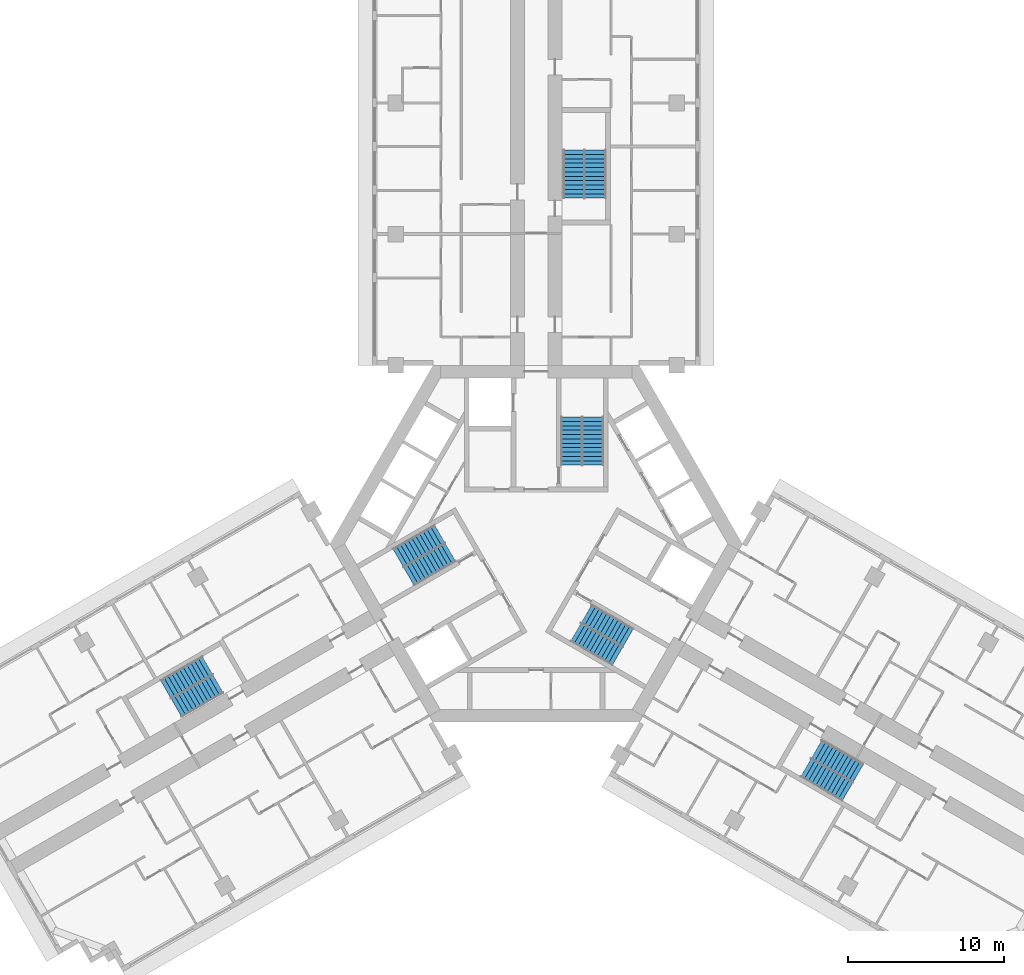
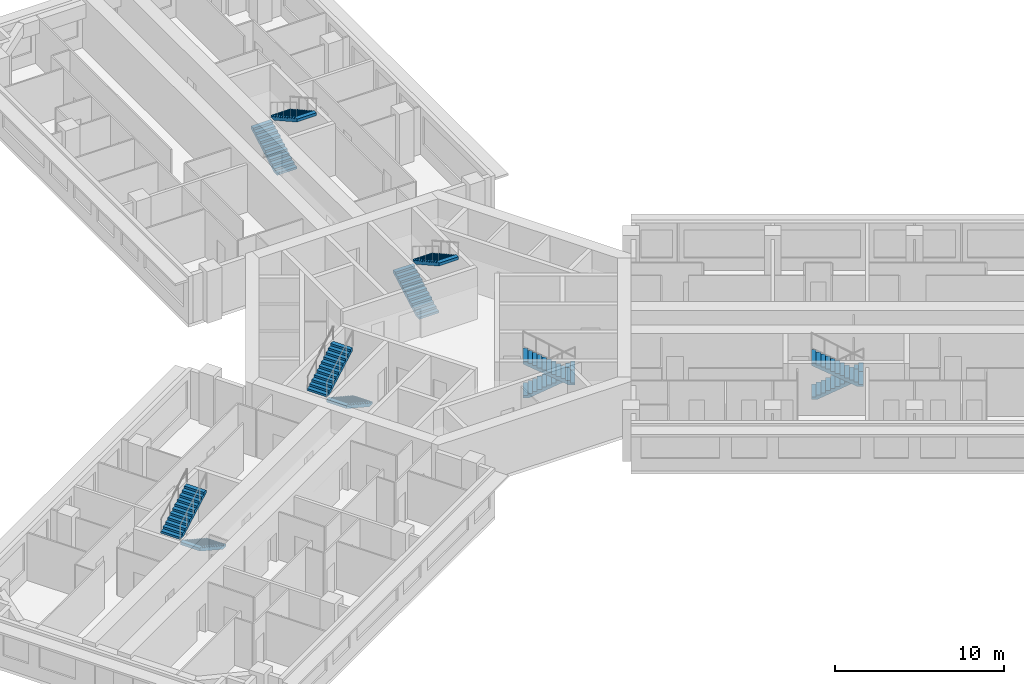
# One storey, part 11 of 12: 12 stair flights, 6 elements without a shape of their own.
"""IFC4 building model written with IfcOpenShell, lengths in metres."""

import ifcopenshell
import ifcopenshell.guid

model = None  # the IFC model being written
_history = None  # IfcOwnerHistory: only IFC2X3 demands one
_inside = {}  # id of a spatial element -> (the spatial element, [elements in it])
_under = {}  # id of a project, library or spatial element -> (it, [spatial elements below it])
_declared = {}  # id of a project -> (the project, [libraries it declares])
_typed = {}  # id of a type object -> (the type object, [elements of that type])
_made_of = {}  # id of a material, layer set ... -> (it, [elements and type objects made of it])


def new_model(schema):
    """Start an empty IFC model of exactly this schema.

    Asked for "IFC4X3", IfcOpenShell would pick the latest addendum, in which some entities
    have other attributes; the version numbers below select the first issue.
    IFC2X3 requires an IfcOwnerHistory on every rooted entity: one is made here for all.
    """
    global model, _history
    if schema == "IFC4X3":
        model = ifcopenshell.file(schema_version=(4, 3, 0, 0))
    else:
        model = ifcopenshell.file(schema=schema)
    _inside.clear()
    _under.clear()
    _declared.clear()
    _typed.clear()
    _made_of.clear()
    _history = None
    if model.schema == "IFC2X3":
        org = make("IfcOrganization", Name="unknown")
        user = make(
            "IfcPersonAndOrganization",
            ThePerson=make("IfcPerson", FamilyName="unknown"),
            TheOrganization=org,
        )
        app = make(
            "IfcApplication",
            ApplicationDeveloper=org,
            Version="unknown",
            ApplicationFullName="unknown",
            ApplicationIdentifier="unknown",
        )
        _history = make(
            "IfcOwnerHistory",
            OwningUser=user,
            OwningApplication=app,
            ChangeAction="ADDED",
            CreationDate=0,
        )
    return model


def make(cls, **values):
    """One entity of the class cls with the attributes given. An attribute that is None is left unset."""
    return model.create_entity(
        cls, **{name: value for name, value in values.items() if value is not None}
    )


def rooted(cls, **values):
    """An entity with a GlobalId (a new one), such as an element, a storey or a relation."""
    return make(cls, GlobalId=ifcopenshell.guid.new(), OwnerHistory=_history, **values)


def si_unit(unit_type, name, prefix=None):
    """IfcSIUnit, for example si_unit("LENGTHUNIT", "METRE", prefix="MILLI")."""
    return make("IfcSIUnit", UnitType=unit_type, Prefix=prefix, Name=name)


def assignment(units):
    """IfcUnitAssignment: the units of a project."""
    return None if units is None else make("IfcUnitAssignment", Units=units)


def point(xyz):
    """IfcCartesianPoint."""
    return None if xyz is None else make("IfcCartesianPoint", Coordinates=xyz)


def direction(xyz):
    """IfcDirection."""
    return None if xyz is None else make("IfcDirection", DirectionRatios=xyz)


def frame(location, z_axis=None, x_axis=None):
    """IfcAxis2Placement3D, a coordinate frame: its origin and axes. An axis left out is left unset."""
    return make(
        "IfcAxis2Placement3D",
        Location=point(location),
        Axis=direction(z_axis),
        RefDirection=direction(x_axis),
    )


def origin():
    """The frame at (0, 0, 0) with its axes left unset."""
    return frame((0.0, 0.0, 0.0))


def place(relative_to, where):
    """IfcLocalPlacement: puts the frame where relative to a parent placement (None: the world)."""
    return make(
        "IfcLocalPlacement", PlacementRelTo=relative_to, RelativePlacement=where
    )


def context(
    kind, dimensions, precision=None, world=None, true_north=None, identifier=None
):
    """IfcGeometricRepresentationContext, for example the 3D "Model" context."""
    return make(
        "IfcGeometricRepresentationContext",
        ContextIdentifier=identifier,
        ContextType=kind,
        CoordinateSpaceDimension=dimensions,
        Precision=precision,
        WorldCoordinateSystem=world,
        TrueNorth=true_north,
    )


def subcontext(parent, identifier, kind, view, scale=None):
    """IfcGeometricRepresentationSubContext, for example "Body" below "Model"."""
    return make(
        "IfcGeometricRepresentationSubContext",
        ContextIdentifier=identifier,
        ContextType=kind,
        ParentContext=parent,
        TargetScale=scale,
        TargetView=view,
    )


def project(units=None, contexts=None):
    """IfcProject with its units and contexts."""
    return rooted(
        "IfcProject",
        Name="project",
        RepresentationContexts=contexts,
        UnitsInContext=assignment(units),
    )


def spatial(cls, under=None, at=None, **own):
    """A site, building, storey or space (cls), placed at a placement, below another one or the project."""
    s = rooted(cls, ObjectPlacement=at, **own)
    if under is not None:
        _under.setdefault(under.id(), (under, []))[1].append(s)
    return s


def polyline(points):
    """IfcPolyline through the points."""
    return make("IfcPolyline", Points=[point(p) for p in points])


def outline(outer, holes=None, kind="AREA"):
    """IfcArbitraryClosedProfileDef: a profile drawn as a closed curve; with holes, ...WithVoids."""
    if holes is None:
        return make("IfcArbitraryClosedProfileDef", ProfileType=kind, OuterCurve=outer)
    return make(
        "IfcArbitraryProfileDefWithVoids",
        ProfileType=kind,
        OuterCurve=outer,
        InnerCurves=holes,
    )


def extrude(swept, where, along, depth):
    """IfcExtrudedAreaSolid: the profile swept, set in the frame where, extruded along a direction by depth."""
    return make(
        "IfcExtrudedAreaSolid",
        SweptArea=swept,
        Position=where,
        ExtrudedDirection=direction(along),
        Depth=depth,
    )


def shape(context_of_items, identifier, shape_type, items):
    """IfcShapeRepresentation: the items that make up one representation, for example the "Body"."""
    return make(
        "IfcShapeRepresentation",
        ContextOfItems=context_of_items,
        RepresentationIdentifier=identifier,
        RepresentationType=shape_type,
        Items=items,
    )


def material(Name=None, Category=None):
    """IfcMaterial."""
    return make("IfcMaterial", Name=Name, Category=Category)


def made_of(thing, what):
    """Note that an element or type object is made of a material, layer set ...; save() writes the relation."""
    if what is not None:
        _made_of.setdefault(what.id(), (what, []))[1].append(thing)
    return thing


def type_object(cls, material=None, **own):
    """A type object (cls), such as IfcWallType, which elements share."""
    return made_of(rooted(cls, **own), material)


def element(
    cls,
    number,
    at=None,
    inside=None,
    cuts=None,
    type_object=None,
    material=None,
    context=None,
    identifier="Body",
    shape_type=None,
    held_by="IfcProductDefinitionShape",
    body=None,
    shapes=None,
    **own,
):
    """One element of the class cls, such as IfcWall. Its Tag is "e" and its number.

    at: its placement. inside: the storey or other place that contains it. cuts: it is an
    opening in that element (IfcRelVoidsElement). A single representation is given by context,
    identifier, shape_type and body (its items); several are given by shapes. held_by: the class
    of the entity that holds the representations. save() writes the other relations.
    """
    e = rooted(cls, Tag="e%d" % number, ObjectPlacement=at, **own)
    if body is not None:
        shapes = [shape(context, identifier, shape_type, body)]
    if shapes is not None:
        e.Representation = make(held_by, Representations=shapes)
    if inside is not None:
        _inside.setdefault(inside.id(), (inside, []))[1].append(e)
    if cuts is not None:
        rooted(
            "IfcRelVoidsElement", RelatingBuildingElement=cuts, RelatedOpeningElement=e
        )
    if type_object is not None:
        _typed.setdefault(type_object.id(), (type_object, []))[1].append(e)
    return made_of(e, material)


def aggregate(whole, parts):
    """IfcRelAggregates: a whole, such as a stair, and the parts it consists of."""
    return rooted("IfcRelAggregates", RelatingObject=whole, RelatedObjects=parts)


def save(model, path):
    """Write the relations noted so far, then the file.

    IfcRelAggregates (storeys below a building ...), IfcRelContainedInSpatialStructure (elements
    in a storey), IfcRelDefinesByType, IfcRelAssociatesMaterial and IfcRelDeclares: one each for
    every whole, place, type object, material and project.
    """
    for whole, parts in _under.values():
        aggregate(whole, parts)
    for where, things in _inside.values():
        rooted(
            "IfcRelContainedInSpatialStructure",
            RelatedElements=things,
            RelatingStructure=where,
        )
    for kind, things in _typed.values():
        rooted("IfcRelDefinesByType", RelatedObjects=things, RelatingType=kind)
    for what, things in _made_of.values():
        rooted("IfcRelAssociatesMaterial", RelatedObjects=things, RelatingMaterial=what)
    for by, libraries in _declared.values():
        rooted("IfcRelDeclares", RelatingContext=by, RelatedDefinitions=libraries)
    model.write(path)


model = new_model("IFC4")

# Units and contexts
model_context = context("Model", 3, precision=1e-05, world=origin(), true_north=direction((0.0, 1.0)))
body_context = subcontext(model_context, "Body", "Model", "MODEL_VIEW")
ifc_project = project(units=[si_unit("LENGTHUNIT", "METRE"), si_unit("AREAUNIT", "SQUARE_METRE"), si_unit("VOLUMEUNIT", "CUBIC_METRE"), si_unit("PLANEANGLEUNIT", "RADIAN"), si_unit("MASSUNIT", "GRAM", prefix="KILO")], contexts=[model_context])

# Site, building, storey
site_placement = place(None, origin())
site = spatial("IfcSite", under=ifc_project, at=site_placement, CompositionType="ELEMENT")
building_placement = place(site_placement, origin())
building = spatial("IfcBuilding", under=site, at=building_placement, Name="Impinga Residences", CompositionType="ELEMENT")
storey_placement = place(building_placement, frame((0.0, 0.0, 177.25)))
storey = spatial("IfcBuildingStorey", under=building, at=storey_placement, Name="L44", CompositionType="ELEMENT", Elevation=177.25)

# Stair, stair flights
ifc_material = material(Name="Concrete C40/50", Category="concrete")
stair_type_1 = type_object("IfcStairType", Name="STR core stair 3750 storey, 24 risers", PredefinedType="HALF_TURN_STAIR", material=ifc_material)
stair_1_placement = place(storey_placement, origin())
stair_1 = element("IfcStair", 1, at=stair_1_placement, inside=storey, type_object=stair_type_1, Name="Stair ST1 L44", PredefinedType="HALF_TURN_STAIR")
stair_flight_type = type_object("IfcStairFlightType", Name="SF 12 risers of 156", PredefinedType="STRAIGHT", material=ifc_material)
stair_flight_1_placement = place(storey_placement, frame((2.27490234375, 5.030029296875, 0.0), z_axis=(0.0, 0.0, 1.0), x_axis=(0.0, 1.0, 0.0)))
stair_flight_1 = element("IfcStairFlight", 2, at=stair_flight_1_placement, type_object=stair_flight_type, Name="ST1 flight 1", NumberOfRisers=12, NumberOfTreads=11, PredefinedType="STRAIGHT", RiserHeight=0.15625, TreadLength=0.28, context=body_context, shape_type="SweptSolid", body=[
    extrude(outline(polyline([(0.0, 0.0), (0.0, 0.15625), (0.280029296875, 0.15625), (0.280029296875, 0.3125), (0.56005859375, 0.3125), (0.56005859375, 0.46875), (0.840087890625, 0.46875), (0.840087890625, 0.625), (1.1201171875, 0.625), (1.1201171875, 0.78125), (1.39990234375, 0.78125), (1.39990234375, 0.9375), (1.679931640625, 0.9375), (1.679931640625, 1.09375), (1.9599609375, 1.09375), (1.9599609375, 1.25), (2.239990234375, 1.25), (2.239990234375, 1.40625), (2.52001953125, 1.40625), (2.52001953125, 1.5625), (2.800048828125, 1.5625), (2.800048828125, 1.71875), (3.080078125, 1.71875), (3.080078125, 1.875), (3.080078125, 1.5126953125), (0.369140625, 0.0), (0.0, 0.0)])), frame((0.0, 0.675048828125, 0.0), z_axis=(0.0, -1.0, 0.0), x_axis=(1.0, 0.0, 0.0)), (0.0, 0.0, 1.0), 1.35009765625),
])
stair_flight_2_placement = place(storey_placement, frame((3.625, 8.110107421875, 1.875), z_axis=(0.0, 0.0, 1.0), x_axis=(0.0, -1.0, 0.0)))
stair_flight_2 = element("IfcStairFlight", 3, at=stair_flight_2_placement, type_object=stair_flight_type, Name="ST1 flight 2", NumberOfRisers=12, NumberOfTreads=11, PredefinedType="STRAIGHT", RiserHeight=0.15625, TreadLength=0.28, context=body_context, shape_type="SweptSolid", body=[
    extrude(outline(polyline([(0.0, 0.0), (0.0, 0.15625), (0.280029296875, 0.15625), (0.280029296875, 0.3125), (0.56005859375, 0.3125), (0.56005859375, 0.46875), (0.840087890625, 0.46875), (0.840087890625, 0.625), (1.1201171875, 0.625), (1.1201171875, 0.78125), (1.39990234375, 0.78125), (1.39990234375, 0.9375), (1.679931640625, 0.9375), (1.679931640625, 1.09375), (1.9599609375, 1.09375), (1.9599609375, 1.25), (2.239990234375, 1.25), (2.239990234375, 1.40625), (2.52001953125, 1.40625), (2.52001953125, 1.5625), (2.800048828125, 1.5625), (2.800048828125, 1.71875), (3.080078125, 1.71875), (3.080078125, 1.875), (3.080078125, 1.5126953125), (0.369140625, 0.0), (0.0, 0.0)])), frame((0.0, 0.675048828125, 0.0), z_axis=(0.0, -1.0, 0.0), x_axis=(1.0, 0.0, 0.0)), (0.0, 0.0, 1.0), 1.35009765625),
])
aggregate(stair_1, [stair_flight_1, stair_flight_2])

stair_2_placement = place(storey_placement, origin())
stair_2 = element("IfcStair", 4, at=stair_2_placement, inside=storey, type_object=stair_type_1, Name="Stair ST2 L44", PredefinedType="HALF_TURN_STAIR")
stair_flight_3_placement = place(storey_placement, frame((-5.49365234375, -0.544677734375, 0.0), z_axis=(0.0, 0.0, 1.0), x_axis=(-0.866025403784, -0.5, 0.0)))
stair_flight_3 = element("IfcStairFlight", 5, at=stair_flight_3_placement, type_object=stair_flight_type, Name="ST2 flight 1", NumberOfRisers=12, NumberOfTreads=11, PredefinedType="STRAIGHT", RiserHeight=0.15625, TreadLength=0.28, context=body_context, shape_type="SweptSolid", body=[
    extrude(outline(polyline([(0.0, 0.0), (0.0, 0.15625), (0.280029296875, 0.15625), (0.280029296875, 0.3125), (0.56005859375, 0.3125), (0.56005859375, 0.46875), (0.840087890625, 0.46875), (0.840087890625, 0.625), (1.1201171875, 0.625), (1.1201171875, 0.78125), (1.39990234375, 0.78125), (1.39990234375, 0.9375), (1.679931640625, 0.9375), (1.679931640625, 1.09375), (1.9599609375, 1.09375), (1.9599609375, 1.25), (2.239990234375, 1.25), (2.239990234375, 1.40625), (2.52001953125, 1.40625), (2.52001953125, 1.5625), (2.800048828125, 1.5625), (2.800048828125, 1.71875), (3.080078125, 1.71875), (3.080078125, 1.875), (3.080078125, 1.5126953125), (0.369140625, 0.0), (0.0, 0.0)])), frame((0.0, 0.675048828125, 0.0), z_axis=(0.0, -1.0, 0.0), x_axis=(1.0, 0.0, 0.0)), (0.0, 0.0, 1.0), 1.35009765625),
])
stair_flight_4_placement = place(storey_placement, frame((-8.8359375, -0.915771484375, 1.875), z_axis=(0.0, 0.0, 1.0), x_axis=(0.866025403784, 0.5, 0.0)))
stair_flight_4 = element("IfcStairFlight", 6, at=stair_flight_4_placement, type_object=stair_flight_type, Name="ST2 flight 2", NumberOfRisers=12, NumberOfTreads=11, PredefinedType="STRAIGHT", RiserHeight=0.15625, TreadLength=0.28, context=body_context, shape_type="SweptSolid", body=[
    extrude(outline(polyline([(0.0, 0.0), (0.0, 0.15625), (0.280029296875, 0.15625), (0.280029296875, 0.3125), (0.56005859375, 0.3125), (0.56005859375, 0.46875), (0.840087890625, 0.46875), (0.840087890625, 0.625), (1.1201171875, 0.625), (1.1201171875, 0.78125), (1.39990234375, 0.78125), (1.39990234375, 0.9375), (1.679931640625, 0.9375), (1.679931640625, 1.09375), (1.9599609375, 1.09375), (1.9599609375, 1.25), (2.239990234375, 1.25), (2.239990234375, 1.40625), (2.52001953125, 1.40625), (2.52001953125, 1.5625), (2.800048828125, 1.5625), (2.800048828125, 1.71875), (3.080078125, 1.71875), (3.080078125, 1.875), (3.080078125, 1.5126953125), (0.369140625, 0.0), (0.0, 0.0)])), frame((0.0, 0.675048828125, 0.0), z_axis=(0.0, -1.0, 0.0), x_axis=(1.0, 0.0, 0.0)), (0.0, 0.0, 1.0), 1.35009765625),
])
aggregate(stair_2, [stair_flight_3, stair_flight_4])

stair_3_placement = place(storey_placement, origin())
stair_3 = element("IfcStair", 7, at=stair_3_placement, inside=storey, type_object=stair_type_1, Name="Stair ST3 L44", PredefinedType="HALF_TURN_STAIR")
stair_flight_5_placement = place(storey_placement, frame((3.218505859375, -4.485107421875, 0.0), z_axis=(0.0, 0.0, 1.0), x_axis=(0.866025403784, -0.5, 0.0)))
stair_flight_5 = element("IfcStairFlight", 8, at=stair_flight_5_placement, type_object=stair_flight_type, Name="ST3 flight 1", NumberOfRisers=12, NumberOfTreads=11, PredefinedType="STRAIGHT", RiserHeight=0.15625, TreadLength=0.28, context=body_context, shape_type="SweptSolid", body=[
    extrude(outline(polyline([(0.0, 0.0), (0.0, 0.15625), (0.280029296875, 0.15625), (0.280029296875, 0.3125), (0.56005859375, 0.3125), (0.56005859375, 0.46875), (0.840087890625, 0.46875), (0.840087890625, 0.625), (1.1201171875, 0.625), (1.1201171875, 0.78125), (1.39990234375, 0.78125), (1.39990234375, 0.9375), (1.679931640625, 0.9375), (1.679931640625, 1.09375), (1.9599609375, 1.09375), (1.9599609375, 1.25), (2.239990234375, 1.25), (2.239990234375, 1.40625), (2.52001953125, 1.40625), (2.52001953125, 1.5625), (2.800048828125, 1.5625), (2.800048828125, 1.71875), (3.080078125, 1.71875), (3.080078125, 1.875), (3.080078125, 1.5126953125), (0.369140625, 0.0), (0.0, 0.0)])), frame((0.0, 0.675048828125, 0.0), z_axis=(0.0, -1.0, 0.0), x_axis=(1.0, 0.0, 0.0)), (0.0, 0.0, 1.0), 1.35009765625),
])
stair_flight_6_placement = place(storey_placement, frame((5.2109375, -7.1943359375, 1.875), z_axis=(0.0, 0.0, 1.0), x_axis=(-0.866025403784, 0.5, 0.0)))
stair_flight_6 = element("IfcStairFlight", 9, at=stair_flight_6_placement, type_object=stair_flight_type, Name="ST3 flight 2", NumberOfRisers=12, NumberOfTreads=11, PredefinedType="STRAIGHT", RiserHeight=0.15625, TreadLength=0.28, context=body_context, shape_type="SweptSolid", body=[
    extrude(outline(polyline([(0.0, 0.0), (0.0, 0.15625), (0.280029296875, 0.15625), (0.280029296875, 0.3125), (0.56005859375, 0.3125), (0.56005859375, 0.46875), (0.840087890625, 0.46875), (0.840087890625, 0.625), (1.1201171875, 0.625), (1.1201171875, 0.78125), (1.39990234375, 0.78125), (1.39990234375, 0.9375), (1.679931640625, 0.9375), (1.679931640625, 1.09375), (1.9599609375, 1.09375), (1.9599609375, 1.25), (2.239990234375, 1.25), (2.239990234375, 1.40625), (2.52001953125, 1.40625), (2.52001953125, 1.5625), (2.800048828125, 1.5625), (2.800048828125, 1.71875), (3.080078125, 1.71875), (3.080078125, 1.875), (3.080078125, 1.5126953125), (0.369140625, 0.0), (0.0, 0.0)])), frame((0.0, 0.675048828125, 0.0), z_axis=(0.0, -1.0, 0.0), x_axis=(1.0, 0.0, 0.0)), (0.0, 0.0, 1.0), 1.35009765625),
])
aggregate(stair_3, [stair_flight_5, stair_flight_6])

stair_type_2 = type_object("IfcStairType", Name="STR wing stair 3750 storey, 24 risers", PredefinedType="HALF_TURN_STAIR", material=ifc_material)
stair_4_placement = place(storey_placement, origin())
stair_4 = element("IfcStair", 10, at=stair_4_placement, inside=storey, type_object=stair_type_2, Name="Stair WS1 L44", PredefinedType="HALF_TURN_STAIR")
stair_flight_7_placement = place(storey_placement, frame((2.425048828125, 22.131591796875, 0.0), z_axis=(0.0, 0.0, 1.0), x_axis=(0.0, 1.0, 0.0)))
stair_flight_7 = element("IfcStairFlight", 11, at=stair_flight_7_placement, type_object=stair_flight_type, Name="WS1 flight 1", NumberOfRisers=12, NumberOfTreads=11, PredefinedType="STRAIGHT", RiserHeight=0.15625, TreadLength=0.28, context=body_context, shape_type="SweptSolid", body=[
    extrude(outline(polyline([(0.0, 0.0), (0.0, 0.15625), (0.280029296875, 0.15625), (0.280029296875, 0.3125), (0.56005859375, 0.3125), (0.56005859375, 0.46875), (0.840087890625, 0.46875), (0.840087890625, 0.625), (1.1201171875, 0.625), (1.1201171875, 0.78125), (1.39990234375, 0.78125), (1.39990234375, 0.9375), (1.679931640625, 0.9375), (1.679931640625, 1.09375), (1.9599609375, 1.09375), (1.9599609375, 1.25), (2.239990234375, 1.25), (2.239990234375, 1.40625), (2.52001953125, 1.40625), (2.52001953125, 1.5625), (2.800048828125, 1.5625), (2.800048828125, 1.71875), (3.080078125, 1.71875), (3.080078125, 1.875), (3.080078125, 1.5126953125), (0.369140625, 0.0), (0.0, 0.0)])), frame((0.0, 0.675048828125, 0.0), z_axis=(0.0, -1.0, 0.0), x_axis=(1.0, 0.0, 0.0)), (0.0, 0.0, 1.0), 1.35009765625),
])
stair_flight_8_placement = place(storey_placement, frame((3.77490234375, 25.21142578125, 1.875), z_axis=(0.0, 0.0, 1.0), x_axis=(0.0, -1.0, 0.0)))
stair_flight_8 = element("IfcStairFlight", 12, at=stair_flight_8_placement, type_object=stair_flight_type, Name="WS1 flight 2", NumberOfRisers=12, NumberOfTreads=11, PredefinedType="STRAIGHT", RiserHeight=0.15625, TreadLength=0.28, context=body_context, shape_type="SweptSolid", body=[
    extrude(outline(polyline([(0.0, 0.0), (0.0, 0.15625), (0.280029296875, 0.15625), (0.280029296875, 0.3125), (0.56005859375, 0.3125), (0.56005859375, 0.46875), (0.840087890625, 0.46875), (0.840087890625, 0.625), (1.1201171875, 0.625), (1.1201171875, 0.78125), (1.39990234375, 0.78125), (1.39990234375, 0.9375), (1.679931640625, 0.9375), (1.679931640625, 1.09375), (1.9599609375, 1.09375), (1.9599609375, 1.25), (2.239990234375, 1.25), (2.239990234375, 1.40625), (2.52001953125, 1.40625), (2.52001953125, 1.5625), (2.800048828125, 1.5625), (2.800048828125, 1.71875), (3.080078125, 1.71875), (3.080078125, 1.875), (3.080078125, 1.5126953125), (0.369140625, 0.0), (0.0, 0.0)])), frame((0.0, 0.675048828125, 0.0), z_axis=(0.0, -1.0, 0.0), x_axis=(1.0, 0.0, 0.0)), (0.0, 0.0, 1.0), 1.35009765625),
])
aggregate(stair_4, [stair_flight_7, stair_flight_8])

stair_5_placement = place(storey_placement, origin())
stair_5 = element("IfcStair", 13, at=stair_5_placement, inside=storey, type_object=stair_type_2, Name="Stair WS2 L44", PredefinedType="HALF_TURN_STAIR")
stair_flight_9_placement = place(storey_placement, frame((-20.37890625, -8.965576171875, 0.0), z_axis=(0.0, 0.0, 1.0), x_axis=(-0.866025403784, -0.5, 0.0)))
stair_flight_9 = element("IfcStairFlight", 14, at=stair_flight_9_placement, type_object=stair_flight_type, Name="WS2 flight 1", NumberOfRisers=12, NumberOfTreads=11, PredefinedType="STRAIGHT", RiserHeight=0.15625, TreadLength=0.28, context=body_context, shape_type="SweptSolid", body=[
    extrude(outline(polyline([(0.0, 0.0), (0.0, 0.15625), (0.280029296875, 0.15625), (0.280029296875, 0.3125), (0.56005859375, 0.3125), (0.56005859375, 0.46875), (0.840087890625, 0.46875), (0.840087890625, 0.625), (1.1201171875, 0.625), (1.1201171875, 0.78125), (1.39990234375, 0.78125), (1.39990234375, 0.9375), (1.679931640625, 0.9375), (1.679931640625, 1.09375), (1.9599609375, 1.09375), (1.9599609375, 1.25), (2.239990234375, 1.25), (2.239990234375, 1.40625), (2.52001953125, 1.40625), (2.52001953125, 1.5625), (2.800048828125, 1.5625), (2.800048828125, 1.71875), (3.080078125, 1.71875), (3.080078125, 1.875), (3.080078125, 1.5126953125), (0.369140625, 0.0), (0.0, 0.0)])), frame((0.0, 0.675048828125, 0.0), z_axis=(0.0, -1.0, 0.0), x_axis=(1.0, 0.0, 0.0)), (0.0, 0.0, 1.0), 1.35009765625),
])
stair_flight_10_placement = place(storey_placement, frame((-23.721435546875, -9.33642578125, 1.875), z_axis=(0.0, 0.0, 1.0), x_axis=(0.866025403784, 0.5, 0.0)))
stair_flight_10 = element("IfcStairFlight", 15, at=stair_flight_10_placement, type_object=stair_flight_type, Name="WS2 flight 2", NumberOfRisers=12, NumberOfTreads=11, PredefinedType="STRAIGHT", RiserHeight=0.15625, TreadLength=0.28, context=body_context, shape_type="SweptSolid", body=[
    extrude(outline(polyline([(0.0, 0.0), (0.0, 0.15625), (0.280029296875, 0.15625), (0.280029296875, 0.3125), (0.56005859375, 0.3125), (0.56005859375, 0.46875), (0.840087890625, 0.46875), (0.840087890625, 0.625), (1.1201171875, 0.625), (1.1201171875, 0.78125), (1.39990234375, 0.78125), (1.39990234375, 0.9375), (1.679931640625, 0.9375), (1.679931640625, 1.09375), (1.9599609375, 1.09375), (1.9599609375, 1.25), (2.239990234375, 1.25), (2.239990234375, 1.40625), (2.52001953125, 1.40625), (2.52001953125, 1.5625), (2.800048828125, 1.5625), (2.800048828125, 1.71875), (3.080078125, 1.71875), (3.080078125, 1.875), (3.080078125, 1.5126953125), (0.369140625, 0.0), (0.0, 0.0)])), frame((0.0, 0.675048828125, 0.0), z_axis=(0.0, -1.0, 0.0), x_axis=(1.0, 0.0, 0.0)), (0.0, 0.0, 1.0), 1.35009765625),
])
aggregate(stair_5, [stair_flight_9, stair_flight_10])

stair_6_placement = place(storey_placement, origin())
stair_6 = element("IfcStair", 16, at=stair_6_placement, inside=storey, type_object=stair_type_2, Name="Stair WS3 L44", PredefinedType="HALF_TURN_STAIR")
stair_flight_11_placement = place(storey_placement, frame((17.953857421875, -13.165771484375, 0.0), z_axis=(0.0, 0.0, 1.0), x_axis=(0.866025403784, -0.5, 0.0)))
stair_flight_11 = element("IfcStairFlight", 17, at=stair_flight_11_placement, type_object=stair_flight_type, Name="WS3 flight 1", NumberOfRisers=12, NumberOfTreads=11, PredefinedType="STRAIGHT", RiserHeight=0.15625, TreadLength=0.28, context=body_context, shape_type="SweptSolid", body=[
    extrude(outline(polyline([(0.0, 0.0), (0.0, 0.15625), (0.280029296875, 0.15625), (0.280029296875, 0.3125), (0.56005859375, 0.3125), (0.56005859375, 0.46875), (0.840087890625, 0.46875), (0.840087890625, 0.625), (1.1201171875, 0.625), (1.1201171875, 0.78125), (1.39990234375, 0.78125), (1.39990234375, 0.9375), (1.679931640625, 0.9375), (1.679931640625, 1.09375), (1.9599609375, 1.09375), (1.9599609375, 1.25), (2.239990234375, 1.25), (2.239990234375, 1.40625), (2.52001953125, 1.40625), (2.52001953125, 1.5625), (2.800048828125, 1.5625), (2.800048828125, 1.71875), (3.080078125, 1.71875), (3.080078125, 1.875), (3.080078125, 1.5126953125), (0.369140625, 0.0), (0.0, 0.0)])), frame((0.0, 0.675048828125, 0.0), z_axis=(0.0, -1.0, 0.0), x_axis=(1.0, 0.0, 0.0)), (0.0, 0.0, 1.0), 1.35009765625),
])
stair_flight_12_placement = place(storey_placement, frame((19.9462890625, -15.875, 1.875), z_axis=(0.0, 0.0, 1.0), x_axis=(-0.866025403784, 0.5, 0.0)))
stair_flight_12 = element("IfcStairFlight", 18, at=stair_flight_12_placement, type_object=stair_flight_type, Name="WS3 flight 2", NumberOfRisers=12, NumberOfTreads=11, PredefinedType="STRAIGHT", RiserHeight=0.15625, TreadLength=0.28, context=body_context, shape_type="SweptSolid", body=[
    extrude(outline(polyline([(0.0, 0.0), (0.0, 0.15625), (0.280029296875, 0.15625), (0.280029296875, 0.3125), (0.56005859375, 0.3125), (0.56005859375, 0.46875), (0.840087890625, 0.46875), (0.840087890625, 0.625), (1.1201171875, 0.625), (1.1201171875, 0.78125), (1.39990234375, 0.78125), (1.39990234375, 0.9375), (1.679931640625, 0.9375), (1.679931640625, 1.09375), (1.9599609375, 1.09375), (1.9599609375, 1.25), (2.239990234375, 1.25), (2.239990234375, 1.40625), (2.52001953125, 1.40625), (2.52001953125, 1.5625), (2.800048828125, 1.5625), (2.800048828125, 1.71875), (3.080078125, 1.71875), (3.080078125, 1.875), (3.080078125, 1.5126953125), (0.369140625, 0.0), (0.0, 0.0)])), frame((0.0, 0.675048828125, 0.0), z_axis=(0.0, -1.0, 0.0), x_axis=(1.0, 0.0, 0.0)), (0.0, 0.0, 1.0), 1.35009765625),
])
aggregate(stair_6, [stair_flight_11, stair_flight_12])

save(model, "model.ifc")
